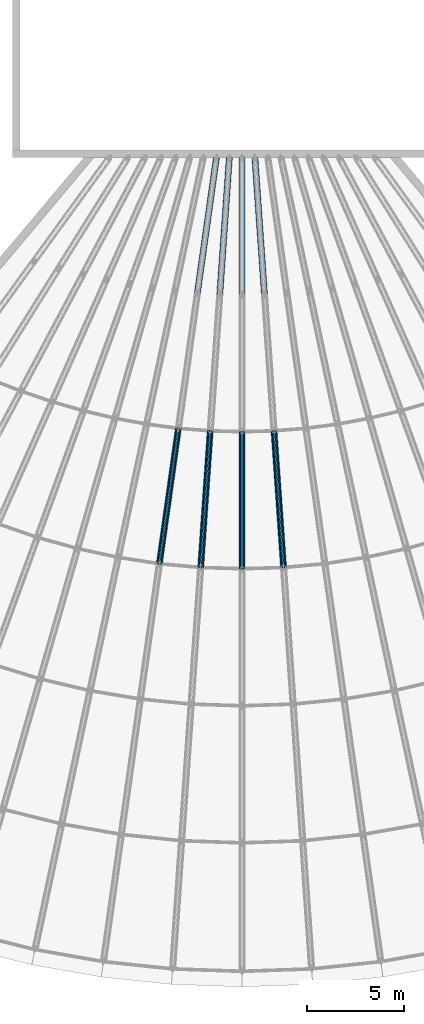
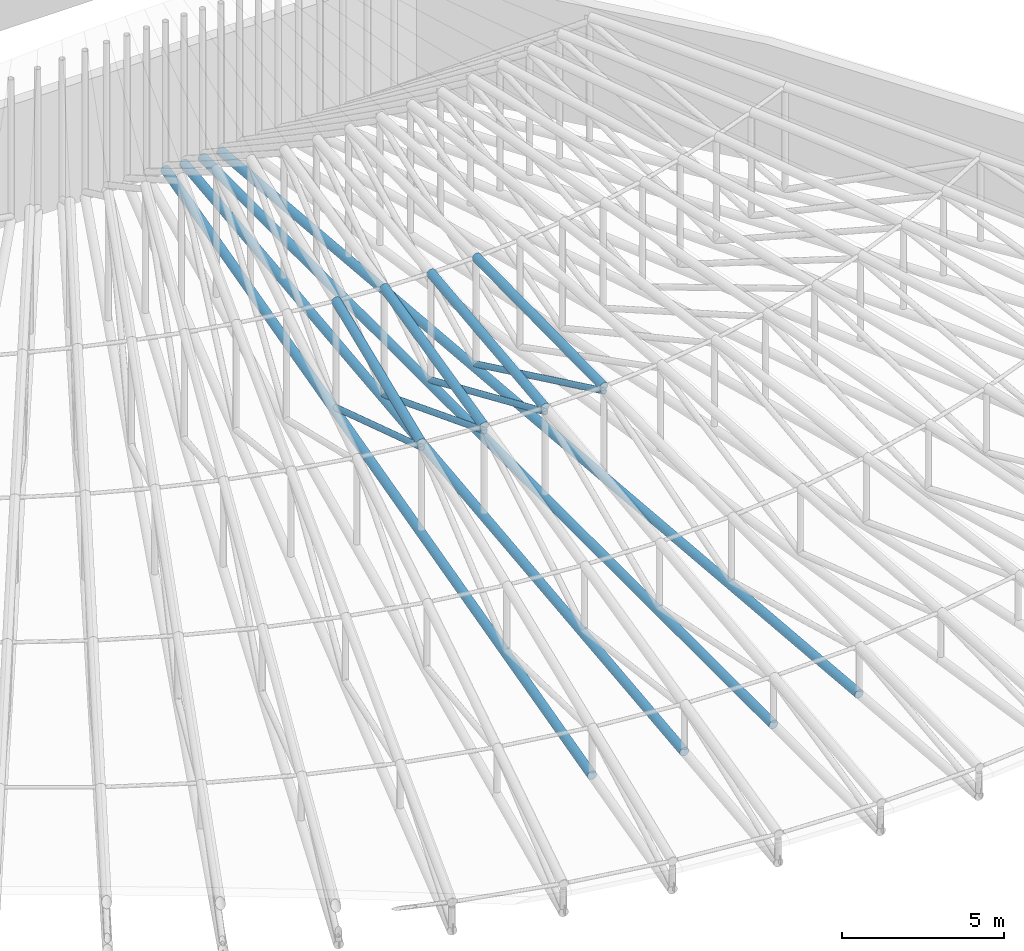
# One storey, part 33 of 163: 12 members.
"""IFC4 building model written with IfcOpenShell, lengths in metres."""

from ifc_helpers import new_model, si_unit, direction, frame, origin, origin_2d, place, context, subcontext, project, spatial, hollow_circle, extrude, material, material_profile, profile_set, type_object, element, save


model = new_model("IFC4")

# Units and contexts
model_context = context("Model", 3, precision=1e-05, world=origin(), true_north=direction((0.0, 1.0)))
body_context = subcontext(model_context, "Body", "Model", "MODEL_VIEW")
ifc_project = project(units=[si_unit("LENGTHUNIT", "METRE"), si_unit("AREAUNIT", "SQUARE_METRE"), si_unit("VOLUMEUNIT", "CUBIC_METRE"), si_unit("PLANEANGLEUNIT", "RADIAN"), si_unit("MASSUNIT", "GRAM", prefix="KILO")], contexts=[model_context])

# Site, building, storey
site_placement = place(None, origin())
site = spatial("IfcSite", under=ifc_project, at=site_placement, CompositionType="ELEMENT")
building_placement = place(site_placement, origin())
building = spatial("IfcBuilding", under=site, at=building_placement, Name="Rain Tree Exposition and Congress Centre", CompositionType="ELEMENT")
storey_placement = place(building_placement, frame((0.0, 0.0, 10.5)))
storey = spatial("IfcBuildingStorey", under=building, at=storey_placement, Name="L02", CompositionType="ELEMENT", Elevation=10.5)

# Members
ifc_material_1 = material(Name="Steel S355J2H", Category="steel")
ifc_material_profile_1 = material_profile(ifc_material_1, hollow_circle(Radius=0.108154296875, WallThickness=0.008056640625, at=origin_2d()), Name="CHS 216x8")
ifc_profile_set_1 = profile_set([ifc_material_profile_1], Name="Steel S355J2H")
member_type_1 = type_object("IfcMemberType", Name="Steel brace member CHS 216x8", PredefinedType="BRACE", material=ifc_profile_set_1)
member_1_placement = place(storey_placement, frame((197.347900390625, 36.9443359375, 3.390869140625), z_axis=(0.127481219917, 0.907272664053, -0.400755351344), x_axis=(-0.990272225731, 0.139143519239, 0.0)))
element("IfcMember", 1, at=member_1_placement, inside=storey, type_object=member_type_1, Name="TD8-4", PredefinedType="BRACE", context=body_context, shape_type="SweptSolid", body=[
    extrude(hollow_circle(Radius=0.108154296875, WallThickness=0.008056640625, at=origin_2d()), origin(), (0.0, 0.0, 1.0), 7.666259765625),
])
member_2_placement = place(storey_placement, frame((199.470703125, 36.749267578125, 3.393798828125), z_axis=(0.06392819778, 0.914100112956, -0.400417493403), x_axis=(-0.997563435782, 0.069765260628, 0.0)))
element("IfcMember", 2, at=member_2_placement, inside=storey, type_object=member_type_1, Name="TD9-4", PredefinedType="BRACE", context=body_context, shape_type="SweptSolid", body=[
    extrude(hollow_circle(Radius=0.108154296875, WallThickness=0.008056640625, at=origin_2d()), origin(), (0.0, 0.0, 1.0), 7.679931640625),
])
member_3_placement = place(storey_placement, frame((201.60009765625, 36.68408203125, 3.39501953125), z_axis=(0.0, 0.916370115858, -0.400332125569), x_axis=(-1.0, 0.0, 0.0)))
element("IfcMember", 3, at=member_3_placement, inside=storey, type_object=member_type_1, Name="TD10-4", PredefinedType="BRACE", context=body_context, shape_type="SweptSolid", body=[
    extrude(hollow_circle(Radius=0.108154296875, WallThickness=0.008056640625, at=origin_2d()), origin(), (0.0, 0.0, 1.0), 7.6845703125),
])
member_4_placement = place(storey_placement, frame((203.729248046875, 36.749267578125, 3.393798828125), z_axis=(-0.06392819778, 0.914100112956, -0.400417493403), x_axis=(-0.997563435782, -0.069765260628, 0.0)))
element("IfcMember", 4, at=member_4_placement, inside=storey, type_object=member_type_1, Name="TD11-4", PredefinedType="BRACE", context=body_context, shape_type="SweptSolid", body=[
    extrude(hollow_circle(Radius=0.108154296875, WallThickness=0.008056640625, at=origin_2d()), origin(), (0.0, 0.0, 1.0), 7.679931640625),
])
ifc_material_2 = material(Name="Steel S355J2H", Category="steel")
ifc_material_profile_2 = material_profile(ifc_material_2, hollow_circle(Radius=0.1591796875, WallThickness=0.010009765625, at=origin_2d()), Name="CHS 318x10")
ifc_profile_set_2 = profile_set([ifc_material_profile_2], Name="Steel S355J2H")
member_type_2 = type_object("IfcMemberType", Name="Steel chord member CHS 318x10", PredefinedType="CHORD", material=ifc_profile_set_2)
member_5_placement = place(storey_placement, frame((195.392822265625, 23.033935546875, 0.1591796875), z_axis=(0.139172704751, 0.990268124425, 0.0), x_axis=(-0.990268124425, 0.139172704751, 0.0)))
element("IfcMember", 5, at=member_5_placement, inside=storey, type_object=member_type_2, Name="TC8-2", PredefinedType="CHORD", context=body_context, shape_type="SweptSolid", body=[
    extrude(hollow_circle(Radius=0.1591796875, WallThickness=0.010009765625, at=origin_2d()), origin(), (0.0, 0.0, 1.0), 35.117919921875),
])
member_6_placement = place(storey_placement, frame((197.347900390625, 36.9443359375, 3.5517578125), z_axis=(0.138271537545, 0.98406640847, 0.111777840493), x_axis=(-0.990272225731, 0.139143519239, 0.0)))
element("IfcMember", 6, at=member_6_placement, inside=storey, type_object=member_type_2, Name="TT8-4", PredefinedType="CHORD", context=body_context, shape_type="SweptSolid", body=[
    extrude(hollow_circle(Radius=0.1591796875, WallThickness=0.010009765625, at=origin_2d()), origin(), (0.0, 0.0, 1.0), 7.06787109375),
])
member_7_placement = place(storey_placement, frame((198.489013671875, 22.70849609375, 0.1591796875), z_axis=(0.069750968639, 0.997564435199, 0.0), x_axis=(-0.997564435199, 0.069750968639, 0.0)))
element("IfcMember", 7, at=member_7_placement, inside=storey, type_object=member_type_2, Name="TC9-2", PredefinedType="CHORD", context=body_context, shape_type="SweptSolid", body=[
    extrude(hollow_circle(Radius=0.1591796875, WallThickness=0.010009765625, at=origin_2d()), origin(), (0.0, 0.0, 1.0), 35.187255859375),
])
member_8_placement = place(storey_placement, frame((199.470703125, 36.749267578125, 3.554931640625), z_axis=(0.069327881216, 0.991309410428, 0.111800257973), x_axis=(-0.997563435782, 0.069765260628, 0.0)))
element("IfcMember", 8, at=member_8_placement, inside=storey, type_object=member_type_2, Name="TT9-4", PredefinedType="CHORD", context=body_context, shape_type="SweptSolid", body=[
    extrude(hollow_circle(Radius=0.1591796875, WallThickness=0.010009765625, at=origin_2d()), origin(), (0.0, 0.0, 1.0), 7.081787109375),
])
member_9_placement = place(storey_placement, frame((201.60009765625, 22.60009765625, 0.1591796875), z_axis=(0.0, 1.0, 0.0), x_axis=(-1.0, 0.0, 0.0)))
element("IfcMember", 9, at=member_9_placement, inside=storey, type_object=member_type_2, Name="TC10-2", PredefinedType="CHORD", context=body_context, shape_type="SweptSolid", body=[
    extrude(hollow_circle(Radius=0.1591796875, WallThickness=0.010009765625, at=origin_2d()), origin(), (0.0, 0.0, 1.0), 35.2099609375),
])
member_10_placement = place(storey_placement, frame((201.60009765625, 36.68408203125, 3.555908203125), z_axis=(0.0, 0.993731124787, 0.111796474134), x_axis=(-1.0, 0.0, 0.0)))
element("IfcMember", 10, at=member_10_placement, inside=storey, type_object=member_type_2, Name="TT10-4", PredefinedType="CHORD", context=body_context, shape_type="SweptSolid", body=[
    extrude(hollow_circle(Radius=0.1591796875, WallThickness=0.010009765625, at=origin_2d()), origin(), (0.0, 0.0, 1.0), 7.08642578125),
])
member_11_placement = place(storey_placement, frame((204.711181640625, 22.70849609375, 0.1591796875), z_axis=(-0.069757873202, 0.997563952399, 0.0), x_axis=(-0.997563952399, -0.069757873202, 0.0)))
element("IfcMember", 11, at=member_11_placement, inside=storey, type_object=member_type_2, Name="TC11-2", PredefinedType="CHORD", context=body_context, shape_type="SweptSolid", body=[
    extrude(hollow_circle(Radius=0.1591796875, WallThickness=0.010009765625, at=origin_2d()), origin(), (0.0, 0.0, 1.0), 35.187255859375),
])
member_12_placement = place(storey_placement, frame((203.729248046875, 36.749267578125, 3.554931640625), z_axis=(-0.069327881216, 0.991309410428, 0.111800257973), x_axis=(-0.997563435782, -0.069765260628, 0.0)))
element("IfcMember", 12, at=member_12_placement, inside=storey, type_object=member_type_2, Name="TT11-4", PredefinedType="CHORD", context=body_context, shape_type="SweptSolid", body=[
    extrude(hollow_circle(Radius=0.1591796875, WallThickness=0.010009765625, at=origin_2d()), origin(), (0.0, 0.0, 1.0), 7.081787109375),
])

save(model, "model.ifc")
